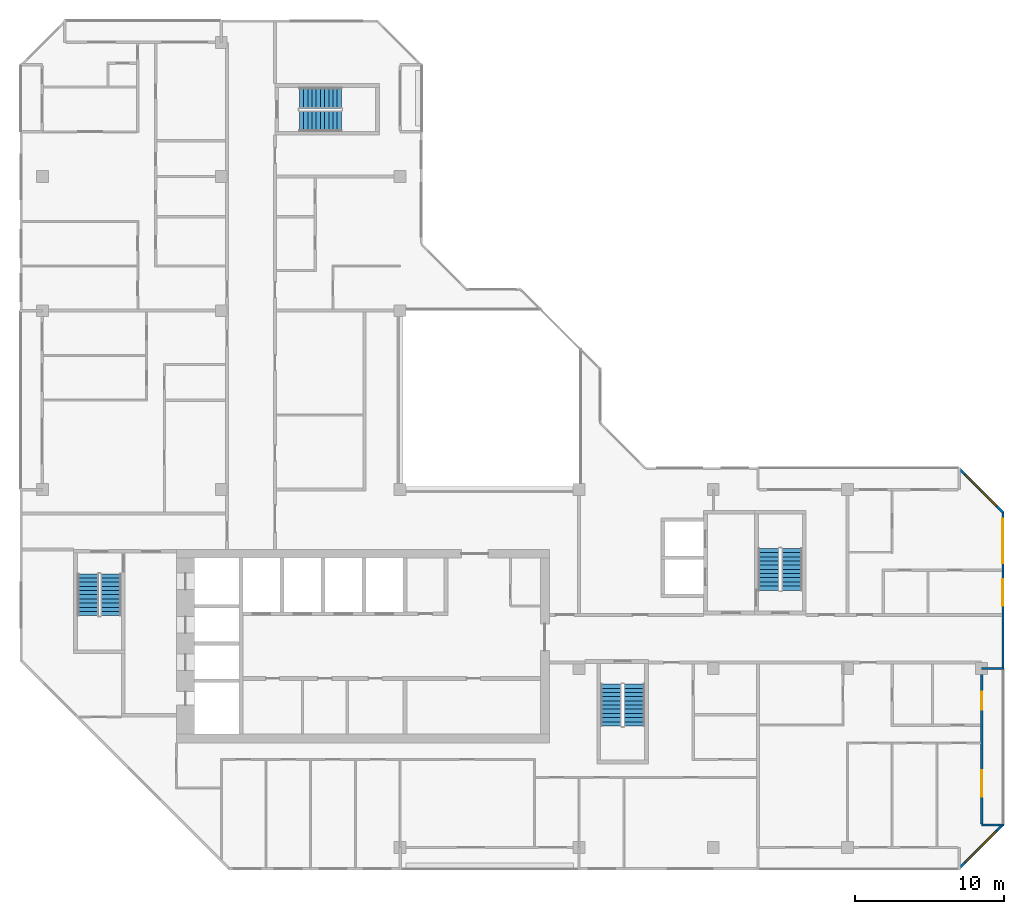
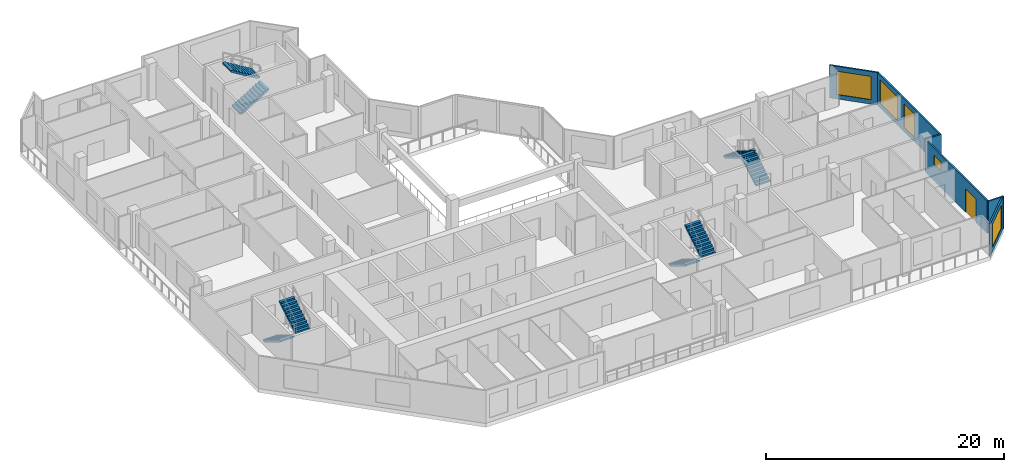
# One storey, part 11 of 13: 8 stair flights, 6 walls, 5 windows, 1 door, 6 openings, 4 elements without a shape of their own.
"""IFC4 building model written with IfcOpenShell, lengths in metres."""

from ifc_helpers import new_model, si_unit, direction, frame, frame_2d, origin, place, context, subcontext, project, spatial, polyline, rectangle, outline, extrude, material, layer, layer_set, type_object, element, fill, aggregate, save


model = new_model("IFC4")

# Units and contexts
model_context = context("Model", 3, precision=1e-05, world=origin(), true_north=direction((0.0, 1.0)))
body_context = subcontext(model_context, "Body", "Model", "MODEL_VIEW")
ifc_project = project(units=[si_unit("LENGTHUNIT", "METRE"), si_unit("AREAUNIT", "SQUARE_METRE"), si_unit("VOLUMEUNIT", "CUBIC_METRE"), si_unit("PLANEANGLEUNIT", "RADIAN"), si_unit("MASSUNIT", "GRAM", prefix="KILO")], contexts=[model_context])

# Site, building, storey
site_placement = place(None, origin())
site = spatial("IfcSite", under=ifc_project, at=site_placement, CompositionType="ELEMENT")
building_placement = place(site_placement, origin())
building = spatial("IfcBuilding", under=site, at=building_placement, Name="Chenar Terraces", CompositionType="ELEMENT")
storey_placement = place(building_placement, frame((0.0, 0.0, 277.14990234375)))
storey = spatial("IfcBuildingStorey", under=building, at=storey_placement, Name="L64", CompositionType="ELEMENT", Elevation=277.14990234375)

# Wall, openings, windows
ifc_material_1 = material(Name="Aluminium framed glazing", Category="aluminium")
ifc_layer_1 = layer(ifc_material_1, 0.14990234375)
ifc_layer_set_1 = layer_set([ifc_layer_1], Name="Aluminium framed glazing")
wall_type_1 = type_object("IfcWallType", Name="Glazed flush facade wall 150", PredefinedType="SOLIDWALL", material=ifc_layer_set_1)
wall_1_placement = place(storey_placement, frame((64.425048828125, 12.074951171875, 0.0), z_axis=(0.0, 0.0, 1.0), x_axis=(0.0, 1.0, 0.0)))
wall_1 = element("IfcWall", 1, at=wall_1_placement, inside=storey, type_object=wall_type_1, Name="Glazed flush facade wall", PredefinedType="SOLIDWALL", context=body_context, shape_type="SweptSolid", body=[
    extrude(rectangle(XDim=10.425048828125, YDim=0.14990234375, at=frame_2d((5.21240234375, 0.0))), origin(), (0.0, 0.0, 1.0), 3.35009765625),
])
opening_1_placement = place(wall_1_placement, frame((4.125, 0.0, 0.449951171875)))
opening_1 = element("IfcOpeningElement", 2, at=opening_1_placement, cuts=wall_1, Name="Opening W180x240", PredefinedType="OPENING", context=body_context, shape_type="SweptSolid", body=[
    extrude(rectangle(XDim=1.800048828125, YDim=2.39990234375, at=frame_2d((0.89990234375, 1.199951171875))), frame((0.0, 0.0849609375, 0.0), z_axis=(0.0, -1.0, 0.0), x_axis=(1.0, 0.0, 0.0)), (0.0, 0.0, 1.0), 0.169921875),
])
opening_2_placement = place(wall_1_placement, frame((6.97509765625, 0.0, 0.449951171875)))
opening_2 = element("IfcOpeningElement", 3, at=opening_2_placement, cuts=wall_1, Name="Opening W300x240", PredefinedType="OPENING", context=body_context, shape_type="SweptSolid", body=[
    extrude(rectangle(XDim=3.0, YDim=2.39990234375, at=frame_2d((1.5, 1.199951171875))), frame((0.0, 0.0849609375, 0.0), z_axis=(0.0, -1.0, 0.0), x_axis=(1.0, 0.0, 0.0)), (0.0, 0.0, 1.0), 0.169921875),
])
ifc_material_2 = material(Name="Low emissivity double glazing, aluminium frame", Category="aluminium")
window_type_1 = type_object("IfcWindowType", Name="Fixed light 1800 x 2400", PartitioningType="SINGLE_PANEL", PredefinedType="WINDOW", material=ifc_material_2)
window_1_placement = place(opening_1_placement, origin())
window_1 = element("IfcWindow", 4, at=window_1_placement, inside=storey, type_object=window_type_1, Name="Window", OverallHeight=2.39990234375, OverallWidth=1.800048828125, PartitioningType="SINGLE_PANEL", PredefinedType="WINDOW", context=body_context, shape_type="SweptSolid", body=[
    extrude(rectangle(XDim=1.800048828125, YDim=2.39990234375, at=frame_2d((0.89990234375, 1.199951171875))), frame((0.0, 0.030029296875, 0.0), z_axis=(0.0, -1.0, 0.0), x_axis=(1.0, 0.0, 0.0)), (0.0, 0.0, 1.0), 0.06005859375),
])
fill(opening_1, window_1)
ifc_material_3 = material(Name="Low emissivity double glazing, aluminium frame", Category="aluminium")
window_type_2 = type_object("IfcWindowType", Name="Fixed light 3000 x 2400", PartitioningType="SINGLE_PANEL", PredefinedType="WINDOW", material=ifc_material_3)
window_2_placement = place(opening_2_placement, origin())
window_2 = element("IfcWindow", 5, at=window_2_placement, inside=storey, type_object=window_type_2, Name="Window", OverallHeight=2.39990234375, OverallWidth=3.0, PartitioningType="SINGLE_PANEL", PredefinedType="WINDOW", context=body_context, shape_type="SweptSolid", body=[
    extrude(rectangle(XDim=3.0, YDim=2.39990234375, at=frame_2d((1.5, 1.199951171875))), frame((0.0, 0.030029296875, 0.0), z_axis=(0.0, -1.0, 0.0), x_axis=(1.0, 0.0, 0.0)), (0.0, 0.0, 1.0), 0.06005859375),
])
fill(opening_2, window_2)

# Wall, openings, window, door
ifc_material_4 = material(Name="Aluminium framed glazing", Category="aluminium")
ifc_layer_2 = layer(ifc_material_4, 0.14990234375)
ifc_layer_set_2 = layer_set([ifc_layer_2], Name="Aluminium framed glazing")
wall_type_2 = type_object("IfcWallType", Name="Glazed loggia back wall 150", PredefinedType="SOLIDWALL", material=ifc_layer_set_2)
wall_2_placement = place(storey_placement, frame((63.0, 1.574951171875, 0.0), z_axis=(0.0, 0.0, 1.0), x_axis=(0.0, 1.0, 0.0)))
wall_2 = element("IfcWall", 6, at=wall_2_placement, inside=storey, type_object=wall_type_2, Name="Glazed loggia back wall", PredefinedType="SOLIDWALL", context=body_context, shape_type="SweptSolid", body=[
    extrude(rectangle(XDim=10.35009765625, YDim=0.14990234375, at=frame_2d((5.175048828125, 0.0))), origin(), (0.0, 0.0, 1.0), 3.35009765625),
])
opening_3_placement = place(wall_2_placement, frame((1.8125, 0.0, 0.0)))
opening_3 = element("IfcOpeningElement", 7, at=opening_3_placement, cuts=wall_2, Name="Opening DL64-G6", PredefinedType="OPENING", context=body_context, shape_type="SweptSolid", body=[
    extrude(rectangle(XDim=1.800048828125, YDim=2.39990234375, at=frame_2d((0.89990234375, 1.199951171875))), frame((0.0, 0.0849609375, 0.0), z_axis=(0.0, -1.0, 0.0), x_axis=(1.0, 0.0, 0.0)), (0.0, 0.0, 1.0), 0.169921875),
])
opening_4_placement = place(wall_2_placement, frame((7.675048828125, 0.0, 1.699951171875)))
opening_4 = element("IfcOpeningElement", 8, at=opening_4_placement, cuts=wall_2, Name="Opening W120x90", PredefinedType="OPENING", context=body_context, shape_type="SweptSolid", body=[
    extrude(rectangle(XDim=1.199951171875, YDim=0.89990234375, at=frame_2d((0.60009765625, 0.449951171875))), frame((0.0, 0.0849609375, 0.0), z_axis=(0.0, -1.0, 0.0), x_axis=(1.0, 0.0, 0.0)), (0.0, 0.0, 1.0), 0.169921875),
])
ifc_material_5 = material(Name="Low emissivity double glazing, aluminium frame", Category="aluminium")
window_type_3 = type_object("IfcWindowType", Name="Fixed light 1200 x 900", PartitioningType="SINGLE_PANEL", PredefinedType="WINDOW", material=ifc_material_5)
window_3_placement = place(opening_4_placement, origin())
window_3 = element("IfcWindow", 9, at=window_3_placement, inside=storey, type_object=window_type_3, Name="Window", OverallHeight=0.89990234375, OverallWidth=1.199951171875, PartitioningType="SINGLE_PANEL", PredefinedType="WINDOW", context=body_context, shape_type="SweptSolid", body=[
    extrude(rectangle(XDim=1.199951171875, YDim=0.89990234375, at=frame_2d((0.60009765625, 0.449951171875))), frame((0.0, 0.030029296875, 0.0), z_axis=(0.0, -1.0, 0.0), x_axis=(1.0, 0.0, 0.0)), (0.0, 0.0, 1.0), 0.06005859375),
])
fill(opening_4, window_3)
ifc_material_6 = material(Name="Low emissivity double glazing, aluminium frame", Category="aluminium")
door_type = type_object("IfcDoorType", Name="Loggia glazed double door 1800 x 2400", OperationType="DOUBLE_DOOR_SINGLE_SWING", PredefinedType="DOOR", material=ifc_material_6)
door_placement = place(opening_3_placement, frame((1.800048828125, 0.0, 0.0), z_axis=(0.0, 0.0, 1.0), x_axis=(-1.0, 0.0, 0.0)))
door = element("IfcDoor", 10, at=door_placement, inside=storey, type_object=door_type, Name="Loggia glazed door", OperationType="DOUBLE_DOOR_SINGLE_SWING", OverallHeight=2.39990234375, OverallWidth=1.800048828125, PredefinedType="DOOR", context=body_context, shape_type="SweptSolid", body=[
    extrude(rectangle(XDim=1.800048828125, YDim=2.39990234375, at=frame_2d((0.89990234375, 1.199951171875))), frame((0.0, 0.02490234375, 0.0), z_axis=(0.0, -1.0, 0.0), x_axis=(1.0, 0.0, 0.0)), (0.0, 0.0, 1.0), 0.050048828125),
])
fill(opening_3, door)

# Walls
ifc_material_7 = material(Name="Terracotta cladding on insulated backing", Category="masonry")
ifc_layer_3 = layer(ifc_material_7, 0.14990234375)
ifc_layer_set_3 = layer_set([ifc_layer_3], Name="Terracotta cladding on insulated backing")
wall_type_3 = type_object("IfcWallType", Name="Loggia return wall 150", PredefinedType="SOLIDWALL", material=ifc_layer_set_3)
for number, where, z_axis, x_axis, name in (
    (11, (64.5, 1.5, 0.0), (0.0, 0.0, 1.0), (-1.0, 0.0, 0.0), "Loggia return wall"),
    (12, (64.5, 12.0, 0.0), (0.0, 0.0, 1.0), (-1.0, 0.0, 0.0), "Loggia return wall"),
):
    element("IfcWall", number, at=place(storey_placement, frame(where, z_axis=z_axis, x_axis=x_axis)), inside=storey, type_object=wall_type_3, Name=name, PredefinedType="SOLIDWALL", context=body_context, shape_type="SweptSolid", body=[
        extrude(rectangle(XDim=1.5, YDim=0.14990234375, at=frame_2d((0.75, 0.0))), origin(), (0.0, 0.0, 1.0), 3.35009765625),
    ])

# Wall, opening, window
ifc_material_8 = material(Name="Terracotta cladding on insulated backing", Category="masonry")
ifc_layer_4 = layer(ifc_material_8, 0.14990234375)
ifc_layer_set_4 = layer_set([ifc_layer_4], Name="Terracotta cladding on insulated backing")
wall_type_4 = type_object("IfcWallType", Name="Terracotta rainscreen wall 150", PredefinedType="SOLIDWALL", material=ifc_layer_set_4)
wall_3_placement = place(storey_placement, frame((61.447021484375, -1.447021484375, 0.0), z_axis=(0.0, 0.0, 1.0), x_axis=(0.707106781187, 0.707106781187, 0.0)))
wall_3 = element("IfcWall", 13, at=wall_3_placement, inside=storey, type_object=wall_type_4, Name="Terracotta rainscreen wall", PredefinedType="SOLIDWALL", context=body_context, shape_type="SweptSolid", body=[
    extrude(rectangle(XDim=4.24267578125, YDim=0.14990234375, at=frame_2d((2.121337890625, 0.0))), origin(), (0.0, 0.0, 1.0), 3.35009765625),
])
opening_5_placement = place(wall_3_placement, frame((0.621337890625, 0.0, 0.449951171875)))
opening_5 = element("IfcOpeningElement", 14, at=opening_5_placement, cuts=wall_3, Name="Opening W300x240", PredefinedType="OPENING", context=body_context, shape_type="SweptSolid", body=[
    extrude(rectangle(XDim=3.0, YDim=2.39990234375, at=frame_2d((1.5, 1.199951171875))), frame((0.0, 0.0849609375, 0.0), z_axis=(0.0, -1.0, 0.0), x_axis=(1.0, 0.0, 0.0)), (0.0, 0.0, 1.0), 0.169921875),
])
window_4_placement = place(opening_5_placement, origin())
window_4 = element("IfcWindow", 15, at=window_4_placement, inside=storey, type_object=window_type_2, Name="Window", OverallHeight=2.39990234375, OverallWidth=3.0, PartitioningType="SINGLE_PANEL", PredefinedType="WINDOW", context=body_context, shape_type="SweptSolid", body=[
    extrude(rectangle(XDim=3.0, YDim=2.39990234375, at=frame_2d((1.5, 1.199951171875))), frame((0.0, 0.030029296875, 0.0), z_axis=(0.0, -1.0, 0.0), x_axis=(1.0, 0.0, 0.0)), (0.0, 0.0, 1.0), 0.06005859375),
])
fill(opening_5, window_4)

wall_4_placement = place(storey_placement, frame((64.447021484375, 22.447021484375, 0.0), z_axis=(0.0, 0.0, 1.0), x_axis=(-0.707106781187, 0.707106781187, 0.0)))
wall_4 = element("IfcWall", 16, at=wall_4_placement, inside=storey, type_object=wall_type_4, Name="Terracotta rainscreen wall", PredefinedType="SOLIDWALL", context=body_context, shape_type="SweptSolid", body=[
    extrude(rectangle(XDim=4.24267578125, YDim=0.14990234375, at=frame_2d((2.121337890625, 0.0))), origin(), (0.0, 0.0, 1.0), 3.35009765625),
])
opening_6_placement = place(wall_4_placement, frame((0.621337890625, 0.0, 0.449951171875)))
opening_6 = element("IfcOpeningElement", 17, at=opening_6_placement, cuts=wall_4, Name="Opening W300x240", PredefinedType="OPENING", context=body_context, shape_type="SweptSolid", body=[
    extrude(rectangle(XDim=3.0, YDim=2.39990234375, at=frame_2d((1.5, 1.199951171875))), frame((0.0, 0.0849609375, 0.0), z_axis=(0.0, -1.0, 0.0), x_axis=(1.0, 0.0, 0.0)), (0.0, 0.0, 1.0), 0.169921875),
])
window_5_placement = place(opening_6_placement, origin())
window_5 = element("IfcWindow", 18, at=window_5_placement, inside=storey, type_object=window_type_2, Name="Window", OverallHeight=2.39990234375, OverallWidth=3.0, PartitioningType="SINGLE_PANEL", PredefinedType="WINDOW", context=body_context, shape_type="SweptSolid", body=[
    extrude(rectangle(XDim=3.0, YDim=2.39990234375, at=frame_2d((1.5, 1.199951171875))), frame((0.0, 0.030029296875, 0.0), z_axis=(0.0, -1.0, 0.0), x_axis=(1.0, 0.0, 0.0)), (0.0, 0.0, 1.0), 0.06005859375),
])
fill(opening_6, window_5)

# Stair, stair flights
ifc_material_9 = material(Name="Reinforced concrete C40/50", Category="concrete")
stair_type = type_object("IfcStairType", Name="Core stair 1400 half-turn", PredefinedType="HALF_TURN_STAIR", material=ifc_material_9)
placement = place(storey_placement, origin())
stair_1 = element("IfcStair", 19, at=placement, inside=storey, type_object=stair_type, Name="L64 Stair 1", PredefinedType="HALF_TURN_STAIR")
ifc_material_10 = material(Name="Reinforced concrete C40/50", Category="concrete")
stair_flight_type = type_object("IfcStairFlightType", Name="Core stair flight 1400", PredefinedType="STRAIGHT", material=ifc_material_10)
stair_flight_1_placement = place(storey_placement, frame((3.050048828125, 18.35009765625, 0.0), z_axis=(0.0, 0.0, 1.0), x_axis=(0.0, -1.0, 0.0)))
stair_flight_1 = element("IfcStairFlight", 20, at=stair_flight_1_placement, type_object=stair_flight_type, Name="ST1 flight 1", NumberOfRisers=11, NumberOfTreads=10, PredefinedType="STRAIGHT", RiserHeight=0.170454545, TreadLength=0.28, context=body_context, shape_type="SweptSolid", body=[
    extrude(outline(polyline([(-0.0029296875, 0.0), (-0.0029296875, 0.17041015625), (0.0, 0.17041015625), (0.280029296875, 0.17041015625), (0.280029296875, 0.3408203125), (0.56005859375, 0.3408203125), (0.56005859375, 0.511474609375), (0.840087890625, 0.511474609375), (0.840087890625, 0.681884765625), (1.1201171875, 0.681884765625), (1.1201171875, 0.852294921875), (1.39990234375, 0.852294921875), (1.39990234375, 1.022705078125), (1.679931640625, 1.022705078125), (1.679931640625, 1.193115234375), (1.9599609375, 1.193115234375), (1.9599609375, 1.363525390625), (2.239990234375, 1.363525390625), (2.239990234375, 1.5341796875), (2.52001953125, 1.5341796875), (2.52001953125, 1.70458984375), (2.800048828125, 1.70458984375), (2.802978515625, 1.70458984375), (2.802978515625, 1.529052734375), (2.800048828125, 1.529052734375), (0.288330078125, 0.0), (-0.0029296875, 0.0)])), frame((0.0, 0.699951171875, 0.0), z_axis=(0.0, -1.0, 0.0), x_axis=(1.0, 0.0, 0.0)), (0.0, 0.0, 1.0), 1.39990234375),
])
stair_flight_2_placement = place(storey_placement, frame((4.60009765625, 15.550048828125, 1.875), z_axis=(0.0, 0.0, 1.0), x_axis=(0.0, 1.0, 0.0)))
stair_flight_2 = element("IfcStairFlight", 21, at=stair_flight_2_placement, type_object=stair_flight_type, Name="ST1 flight 2", NumberOfRisers=11, NumberOfTreads=10, PredefinedType="STRAIGHT", RiserHeight=0.170454545, TreadLength=0.28, context=body_context, shape_type="SweptSolid", body=[
    extrude(outline(polyline([(-0.0029296875, 0.0), (-0.0029296875, 0.17041015625), (0.0, 0.17041015625), (0.280029296875, 0.17041015625), (0.280029296875, 0.3408203125), (0.56005859375, 0.3408203125), (0.56005859375, 0.511474609375), (0.840087890625, 0.511474609375), (0.840087890625, 0.681884765625), (1.1201171875, 0.681884765625), (1.1201171875, 0.852294921875), (1.39990234375, 0.852294921875), (1.39990234375, 1.022705078125), (1.679931640625, 1.022705078125), (1.679931640625, 1.193115234375), (1.9599609375, 1.193115234375), (1.9599609375, 1.363525390625), (2.239990234375, 1.363525390625), (2.239990234375, 1.5341796875), (2.52001953125, 1.5341796875), (2.52001953125, 1.70458984375), (2.800048828125, 1.70458984375), (2.802978515625, 1.70458984375), (2.802978515625, 1.529052734375), (2.800048828125, 1.529052734375), (0.288330078125, 0.0), (-0.0029296875, 0.0)])), frame((0.0, 0.699951171875, 0.0), z_axis=(0.0, -1.0, 0.0), x_axis=(1.0, 0.0, 0.0)), (0.0, 0.0, 1.0), 1.39990234375),
])
aggregate(stair_1, [stair_flight_1, stair_flight_2])

stair_2 = element("IfcStair", 22, at=placement, inside=storey, type_object=stair_type, Name="L64 Stair 2", PredefinedType="HALF_TURN_STAIR")
stair_flight_3_placement = place(storey_placement, frame((38.14990234375, 10.949951171875, 0.0), z_axis=(0.0, 0.0, 1.0), x_axis=(0.0, -1.0, 0.0)))
stair_flight_3 = element("IfcStairFlight", 23, at=stair_flight_3_placement, type_object=stair_flight_type, Name="ST2 flight 1", NumberOfRisers=11, NumberOfTreads=10, PredefinedType="STRAIGHT", RiserHeight=0.170454545, TreadLength=0.28, context=body_context, shape_type="SweptSolid", body=[
    extrude(outline(polyline([(-0.0029296875, 0.0), (-0.0029296875, 0.17041015625), (0.0, 0.17041015625), (0.280029296875, 0.17041015625), (0.280029296875, 0.3408203125), (0.56005859375, 0.3408203125), (0.56005859375, 0.511474609375), (0.840087890625, 0.511474609375), (0.840087890625, 0.681884765625), (1.1201171875, 0.681884765625), (1.1201171875, 0.852294921875), (1.39990234375, 0.852294921875), (1.39990234375, 1.022705078125), (1.679931640625, 1.022705078125), (1.679931640625, 1.193115234375), (1.9599609375, 1.193115234375), (1.9599609375, 1.363525390625), (2.239990234375, 1.363525390625), (2.239990234375, 1.5341796875), (2.52001953125, 1.5341796875), (2.52001953125, 1.70458984375), (2.800048828125, 1.70458984375), (2.802978515625, 1.70458984375), (2.802978515625, 1.529052734375), (2.800048828125, 1.529052734375), (0.288330078125, 0.0), (-0.0029296875, 0.0)])), frame((0.0, 0.699951171875, 0.0), z_axis=(0.0, -1.0, 0.0), x_axis=(1.0, 0.0, 0.0)), (0.0, 0.0, 1.0), 1.39990234375),
])
stair_flight_4_placement = place(storey_placement, frame((39.699951171875, 8.14990234375, 1.875), z_axis=(0.0, 0.0, 1.0), x_axis=(0.0, 1.0, 0.0)))
stair_flight_4 = element("IfcStairFlight", 24, at=stair_flight_4_placement, type_object=stair_flight_type, Name="ST2 flight 2", NumberOfRisers=11, NumberOfTreads=10, PredefinedType="STRAIGHT", RiserHeight=0.170454545, TreadLength=0.28, context=body_context, shape_type="SweptSolid", body=[
    extrude(outline(polyline([(-0.0029296875, 0.0), (-0.0029296875, 0.17041015625), (0.0, 0.17041015625), (0.280029296875, 0.17041015625), (0.280029296875, 0.3408203125), (0.56005859375, 0.3408203125), (0.56005859375, 0.511474609375), (0.840087890625, 0.511474609375), (0.840087890625, 0.681884765625), (1.1201171875, 0.681884765625), (1.1201171875, 0.852294921875), (1.39990234375, 0.852294921875), (1.39990234375, 1.022705078125), (1.679931640625, 1.022705078125), (1.679931640625, 1.193115234375), (1.9599609375, 1.193115234375), (1.9599609375, 1.363525390625), (2.239990234375, 1.363525390625), (2.239990234375, 1.5341796875), (2.52001953125, 1.5341796875), (2.52001953125, 1.70458984375), (2.800048828125, 1.70458984375), (2.802978515625, 1.70458984375), (2.802978515625, 1.529052734375), (2.800048828125, 1.529052734375), (0.288330078125, 0.0), (-0.0029296875, 0.0)])), frame((0.0, 0.699951171875, 0.0), z_axis=(0.0, -1.0, 0.0), x_axis=(1.0, 0.0, 0.0)), (0.0, 0.0, 1.0), 1.39990234375),
])
aggregate(stair_2, [stair_flight_3, stair_flight_4])

stair_3 = element("IfcStair", 25, at=placement, inside=storey, type_object=stair_type, Name="L64 Stair 3", PredefinedType="HALF_TURN_STAIR")
stair_flight_5_placement = place(storey_placement, frame((50.27490234375, 17.25, 0.0), z_axis=(0.0, 0.0, 1.0), x_axis=(0.0, 1.0, 0.0)))
stair_flight_5 = element("IfcStairFlight", 26, at=stair_flight_5_placement, type_object=stair_flight_type, Name="ST3 flight 1", NumberOfRisers=11, NumberOfTreads=10, PredefinedType="STRAIGHT", RiserHeight=0.170454545, TreadLength=0.28, context=body_context, shape_type="SweptSolid", body=[
    extrude(outline(polyline([(-0.0029296875, 0.0), (-0.0029296875, 0.17041015625), (0.0, 0.17041015625), (0.280029296875, 0.17041015625), (0.280029296875, 0.3408203125), (0.56005859375, 0.3408203125), (0.56005859375, 0.511474609375), (0.840087890625, 0.511474609375), (0.840087890625, 0.681884765625), (1.1201171875, 0.681884765625), (1.1201171875, 0.852294921875), (1.39990234375, 0.852294921875), (1.39990234375, 1.022705078125), (1.679931640625, 1.022705078125), (1.679931640625, 1.193115234375), (1.9599609375, 1.193115234375), (1.9599609375, 1.363525390625), (2.239990234375, 1.363525390625), (2.239990234375, 1.5341796875), (2.52001953125, 1.5341796875), (2.52001953125, 1.70458984375), (2.800048828125, 1.70458984375), (2.802978515625, 1.70458984375), (2.802978515625, 1.529052734375), (2.800048828125, 1.529052734375), (0.288330078125, 0.0), (-0.0029296875, 0.0)])), frame((0.0, 0.699951171875, 0.0), z_axis=(0.0, -1.0, 0.0), x_axis=(1.0, 0.0, 0.0)), (0.0, 0.0, 1.0), 1.39990234375),
])
stair_flight_6_placement = place(storey_placement, frame((48.72509765625, 20.050048828125, 1.875), z_axis=(0.0, 0.0, 1.0), x_axis=(0.0, -1.0, 0.0)))
stair_flight_6 = element("IfcStairFlight", 27, at=stair_flight_6_placement, type_object=stair_flight_type, Name="ST3 flight 2", NumberOfRisers=11, NumberOfTreads=10, PredefinedType="STRAIGHT", RiserHeight=0.170454545, TreadLength=0.28, context=body_context, shape_type="SweptSolid", body=[
    extrude(outline(polyline([(-0.0029296875, 0.0), (-0.0029296875, 0.17041015625), (0.0, 0.17041015625), (0.280029296875, 0.17041015625), (0.280029296875, 0.3408203125), (0.56005859375, 0.3408203125), (0.56005859375, 0.511474609375), (0.840087890625, 0.511474609375), (0.840087890625, 0.681884765625), (1.1201171875, 0.681884765625), (1.1201171875, 0.852294921875), (1.39990234375, 0.852294921875), (1.39990234375, 1.022705078125), (1.679931640625, 1.022705078125), (1.679931640625, 1.193115234375), (1.9599609375, 1.193115234375), (1.9599609375, 1.363525390625), (2.239990234375, 1.363525390625), (2.239990234375, 1.5341796875), (2.52001953125, 1.5341796875), (2.52001953125, 1.70458984375), (2.800048828125, 1.70458984375), (2.802978515625, 1.70458984375), (2.802978515625, 1.529052734375), (2.800048828125, 1.529052734375), (0.288330078125, 0.0), (-0.0029296875, 0.0)])), frame((0.0, 0.699951171875, 0.0), z_axis=(0.0, -1.0, 0.0), x_axis=(1.0, 0.0, 0.0)), (0.0, 0.0, 1.0), 1.39990234375),
])
aggregate(stair_3, [stair_flight_5, stair_flight_6])

stair_4 = element("IfcStair", 28, at=placement, inside=storey, type_object=stair_type, Name="L64 Stair 4", PredefinedType="HALF_TURN_STAIR")
stair_flight_7_placement = place(storey_placement, frame((17.25, 48.72509765625, 0.0), z_axis=(0.0, 0.0, 1.0), x_axis=(1.0, 0.0, 0.0)))
stair_flight_7 = element("IfcStairFlight", 29, at=stair_flight_7_placement, type_object=stair_flight_type, Name="ST4 flight 1", NumberOfRisers=11, NumberOfTreads=10, PredefinedType="STRAIGHT", RiserHeight=0.170454545, TreadLength=0.28, context=body_context, shape_type="SweptSolid", body=[
    extrude(outline(polyline([(-0.0029296875, 0.0), (-0.0029296875, 0.17041015625), (0.0, 0.17041015625), (0.280029296875, 0.17041015625), (0.280029296875, 0.3408203125), (0.56005859375, 0.3408203125), (0.56005859375, 0.511474609375), (0.840087890625, 0.511474609375), (0.840087890625, 0.681884765625), (1.1201171875, 0.681884765625), (1.1201171875, 0.852294921875), (1.39990234375, 0.852294921875), (1.39990234375, 1.022705078125), (1.679931640625, 1.022705078125), (1.679931640625, 1.193115234375), (1.9599609375, 1.193115234375), (1.9599609375, 1.363525390625), (2.239990234375, 1.363525390625), (2.239990234375, 1.5341796875), (2.52001953125, 1.5341796875), (2.52001953125, 1.70458984375), (2.800048828125, 1.70458984375), (2.802978515625, 1.70458984375), (2.802978515625, 1.529052734375), (2.800048828125, 1.529052734375), (0.288330078125, 0.0), (-0.0029296875, 0.0)])), frame((0.0, 0.699951171875, 0.0), z_axis=(0.0, -1.0, 0.0), x_axis=(1.0, 0.0, 0.0)), (0.0, 0.0, 1.0), 1.39990234375),
])
stair_flight_8_placement = place(storey_placement, frame((20.050048828125, 50.27490234375, 1.875), z_axis=(0.0, 0.0, 1.0), x_axis=(-1.0, 0.0, 0.0)))
stair_flight_8 = element("IfcStairFlight", 30, at=stair_flight_8_placement, type_object=stair_flight_type, Name="ST4 flight 2", NumberOfRisers=11, NumberOfTreads=10, PredefinedType="STRAIGHT", RiserHeight=0.170454545, TreadLength=0.28, context=body_context, shape_type="SweptSolid", body=[
    extrude(outline(polyline([(-0.0029296875, 0.0), (-0.0029296875, 0.17041015625), (0.0, 0.17041015625), (0.280029296875, 0.17041015625), (0.280029296875, 0.3408203125), (0.56005859375, 0.3408203125), (0.56005859375, 0.511474609375), (0.840087890625, 0.511474609375), (0.840087890625, 0.681884765625), (1.1201171875, 0.681884765625), (1.1201171875, 0.852294921875), (1.39990234375, 0.852294921875), (1.39990234375, 1.022705078125), (1.679931640625, 1.022705078125), (1.679931640625, 1.193115234375), (1.9599609375, 1.193115234375), (1.9599609375, 1.363525390625), (2.239990234375, 1.363525390625), (2.239990234375, 1.5341796875), (2.52001953125, 1.5341796875), (2.52001953125, 1.70458984375), (2.800048828125, 1.70458984375), (2.802978515625, 1.70458984375), (2.802978515625, 1.529052734375), (2.800048828125, 1.529052734375), (0.288330078125, 0.0), (-0.0029296875, 0.0)])), frame((0.0, 0.699951171875, 0.0), z_axis=(0.0, -1.0, 0.0), x_axis=(1.0, 0.0, 0.0)), (0.0, 0.0, 1.0), 1.39990234375),
])
aggregate(stair_4, [stair_flight_7, stair_flight_8])

save(model, "model.ifc")
